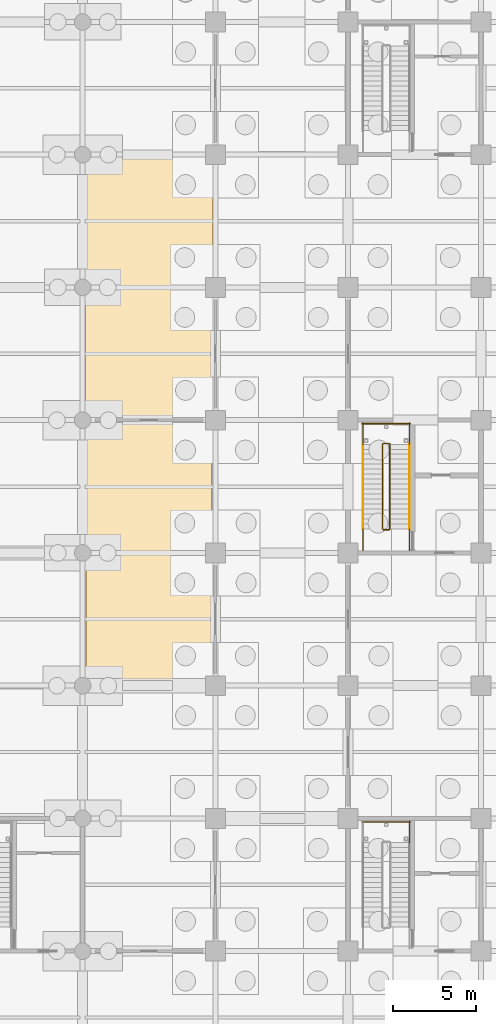
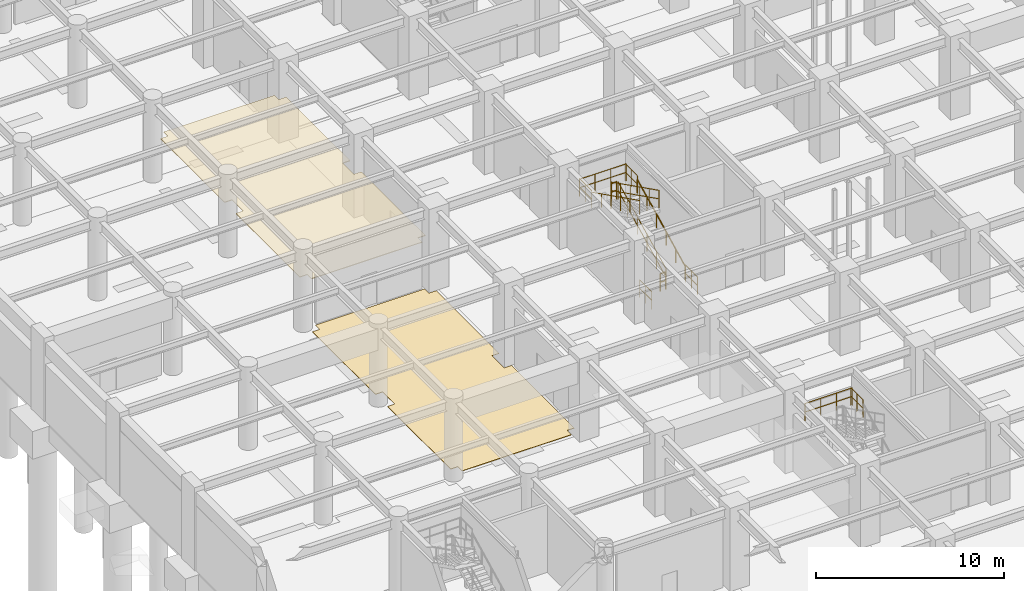
# One storey, part 91 of 97: 13 railings, 2 coverings.
"""IFC4 building model written with IfcOpenShell, lengths in metres."""

from ifc_helpers import new_model, si_unit, direction, frame, origin, origin_2d, place, context, subcontext, project, spatial, polyline, circle, outline, extrude, material, layer, layer_set, type_object, element, save


model = new_model("IFC4")

# Units and contexts
model_context = context("Model", 3, precision=1e-05, world=origin(), true_north=direction((0.0, 1.0)))
body_context = subcontext(model_context, "Body", "Model", "MODEL_VIEW")
ifc_project = project(units=[si_unit("LENGTHUNIT", "METRE"), si_unit("AREAUNIT", "SQUARE_METRE"), si_unit("VOLUMEUNIT", "CUBIC_METRE"), si_unit("PLANEANGLEUNIT", "RADIAN"), si_unit("MASSUNIT", "GRAM", prefix="KILO")], contexts=[model_context])

# Site, building, storey
site_placement = place(None, origin())
site = spatial("IfcSite", under=ifc_project, at=site_placement, CompositionType="ELEMENT")
building_placement = place(site_placement, origin())
building = spatial("IfcBuilding", under=site, at=building_placement, Name="Haebicheon Civic Stadium", CompositionType="ELEMENT")
storey_placement = place(building_placement, frame((0.0, 0.0, -5.39990234375)))
storey = spatial("IfcBuildingStorey", under=building, at=storey_placement, Name="B1", CompositionType="ELEMENT", Elevation=-5.39990234375)

# Coverings
ifc_material_1 = material(Name="Perforated mineral-fibre acoustic board", Category="gypsum")
ifc_layer_1 = layer(ifc_material_1, 0.0400390625, Name="Perforated mineral-fibre acoustic board")
ifc_layer_set_1 = layer_set([ifc_layer_1], Name="Perforated mineral-fibre acoustic board")
covering_type_1 = type_object("IfcCoveringType", Name="COV-CLG-AC", PredefinedType="CEILING", material=ifc_layer_set_1)
covering_1_placement = place(storey_placement, frame((0.0, 0.0, 2.809814453125)))
element("IfcCovering", 1, at=covering_1_placement, inside=storey, type_object=covering_type_1, material=ifc_layer_set_1, Name="B1 Bicycle Parking and Locker Store acoustic ceiling", PredefinedType="CEILING", context=body_context, shape_type="SweptSolid", body=[
    extrude(outline(polyline([(16.594970703125, 112.14501953125), (16.594970703125, 112.594970703125), (16.14501953125, 112.594970703125), (16.14501953125, 119.405029296875), (16.594970703125, 119.405029296875), (16.594970703125, 120.594970703125), (16.14501953125, 120.594970703125), (16.14501953125, 127.405029296875), (16.594970703125, 127.405029296875), (16.594970703125, 127.85498046875), (23.405029296875, 127.85498046875), (23.405029296875, 127.405029296875), (23.85498046875, 127.405029296875), (23.85498046875, 120.594970703125), (23.405029296875, 120.594970703125), (23.405029296875, 119.405029296875), (23.85498046875, 119.405029296875), (23.85498046875, 112.594970703125), (23.405029296875, 112.594970703125), (23.405029296875, 112.14501953125), (16.594970703125, 112.14501953125)])), origin(), (0.0, 0.0, 1.0), 0.0400390625),
])
ifc_material_2 = material(Name="Quartz epoxy resin mortar", Category="concrete")
ifc_layer_2 = layer(ifc_material_2, 0.030029296875, Name="Quartz epoxy resin mortar")
ifc_layer_set_2 = layer_set([ifc_layer_2], Name="Quartz epoxy resin mortar")
covering_type_2 = type_object("IfcCoveringType", Name="COV-FLR-EPX", PredefinedType="FLOORING", material=ifc_layer_set_2)
covering_2_placement = place(storey_placement, origin())
element("IfcCovering", 2, at=covering_2_placement, inside=storey, type_object=covering_type_2, material=ifc_layer_set_2, Name="B1 Metro Underpass Concourse non-slip floor finish", PredefinedType="FLOORING", context=body_context, shape_type="SweptSolid", body=[
    extrude(outline(polyline([(16.64990234375, 96.199951171875), (16.64990234375, 96.64990234375), (16.199951171875, 96.64990234375), (16.199951171875, 103.35009765625), (16.64990234375, 103.35009765625), (16.64990234375, 104.64990234375), (16.199951171875, 104.64990234375), (16.199951171875, 111.35009765625), (16.64990234375, 111.35009765625), (16.64990234375, 111.800048828125), (23.35009765625, 111.800048828125), (23.35009765625, 111.35009765625), (23.800048828125, 111.35009765625), (23.800048828125, 104.64990234375), (23.35009765625, 104.64990234375), (23.35009765625, 103.35009765625), (23.800048828125, 103.35009765625), (23.800048828125, 96.64990234375), (23.35009765625, 96.64990234375), (23.35009765625, 96.199951171875), (16.64990234375, 96.199951171875)])), origin(), (0.0, 0.0, 1.0), 0.02978515625),
])

# Railings
ifc_material_3 = material(Name="Galvanised painted steel SM355", Category="steel")
railing_type_1 = type_object("IfcRailingType", Name="RL-GRD-1150", PredefinedType="GUARDRAIL", material=ifc_material_3)
railing_1_placement = place(storey_placement, frame((35.68994140625, 86.550048828125, 2.699951171875)))
element("IfcRailing", 3, at=railing_1_placement, inside=storey, type_object=railing_type_1, material=ifc_material_3, Name="B1 ST-03 stair guard 3", PredefinedType="GUARDRAIL", context=body_context, shape_type="SweptSolid", body=[
    extrude(circle(Radius=0.02392578125, at=origin_2d()), frame((0.0, 0.0, 1.1259765625), z_axis=(0.0, 1.0, 0.0), x_axis=(-1.0, 0.0, 0.0)), (0.0, 0.0, 1.0), 1.2900390625),
    extrude(circle(Radius=0.02392578125, at=origin_2d()), frame((0.0, 0.0, 0.574951171875), z_axis=(0.0, 1.0, 0.0), x_axis=(-1.0, 0.0, 0.0)), (0.0, 0.0, 1.0), 1.2900390625),
    extrude(circle(Radius=0.02099609375, at=origin_2d()), origin(), (0.0, 0.0, 1.0), 1.101806640625),
    extrude(circle(Radius=0.02099609375, at=origin_2d()), frame((0.0, 0.64501953125, 0.0)), (0.0, 0.0, 1.0), 1.101806640625),
    extrude(circle(Radius=0.02099609375, at=origin_2d()), frame((0.0, 1.2900390625, 0.0)), (0.0, 0.0, 1.0), 1.101806640625),
])
railing_2_placement = place(storey_placement, frame((35.739990234375, 87.7900390625, 2.699951171875)))
element("IfcRailing", 4, at=railing_2_placement, inside=storey, type_object=railing_type_1, material=ifc_material_3, Name="B1 ST-03 stair guard 5", PredefinedType="GUARDRAIL", context=body_context, shape_type="SweptSolid", body=[
    extrude(circle(Radius=0.02392578125, at=origin_2d()), frame((0.0, 0.0, 1.1259765625), z_axis=(-1.0, 0.0, 0.0), x_axis=(0.0, -1.0, 0.0)), (0.0, 0.0, 1.0), 2.89990234375),
    extrude(circle(Radius=0.02392578125, at=origin_2d()), frame((0.0, 0.0, 0.574951171875), z_axis=(-1.0, 0.0, 0.0), x_axis=(0.0, -1.0, 0.0)), (0.0, 0.0, 1.0), 2.89990234375),
    extrude(circle(Radius=0.02099609375, at=origin_2d()), origin(), (0.0, 0.0, 1.0), 1.101806640625),
    extrude(circle(Radius=0.02099609375, at=origin_2d()), frame((-0.966552734375, 0.0, 0.0)), (0.0, 0.0, 1.0), 1.101806640625),
    extrude(circle(Radius=0.02099609375, at=origin_2d()), frame((-1.933349609375, 0.0, 0.0)), (0.0, 0.0, 1.0), 1.101806640625),
    extrude(circle(Radius=0.02099609375, at=origin_2d()), frame((-2.89990234375, 0.0, 0.0)), (0.0, 0.0, 1.0), 1.101806640625),
])
railing_3_placement = place(storey_placement, frame((34.510009765625, 105.449951171875, 0.14990234375)))
element("IfcRailing", 5, at=railing_3_placement, inside=storey, type_object=railing_type_1, material=ifc_material_3, Name="B1 ST-04 stair guard 1", PredefinedType="GUARDRAIL", context=body_context, shape_type="SweptSolid", body=[
    extrude(circle(Radius=0.02392578125, at=origin_2d()), frame((0.0, 0.0, 1.1259765625), z_axis=(0.0, 0.894427191, 0.4472135955), x_axis=(-1.0, 0.0, 0.0)), (0.0, 0.0, 1.0), 5.7021484375),
    extrude(circle(Radius=0.02392578125, at=origin_2d()), frame((0.0, 0.0, 0.574951171875), z_axis=(0.0, 0.894427191, 0.4472135955), x_axis=(-1.0, 0.0, 0.0)), (0.0, 0.0, 1.0), 5.7021484375),
    extrude(circle(Radius=0.02099609375, at=origin_2d()), origin(), (0.0, 0.0, 1.0), 1.101806640625),
    extrude(circle(Radius=0.02099609375, at=origin_2d()), frame((0.0, 1.02001953125, 0.510009765625)), (0.0, 0.0, 1.0), 1.101806640625),
    extrude(circle(Radius=0.02099609375, at=origin_2d()), frame((0.0, 2.0400390625, 1.02001953125)), (0.0, 0.0, 1.0), 1.101806640625),
    extrude(circle(Radius=0.02099609375, at=origin_2d()), frame((0.0, 3.06005859375, 1.530029296875)), (0.0, 0.0, 1.0), 1.101806640625),
    extrude(circle(Radius=0.02099609375, at=origin_2d()), frame((0.0, 4.080078125, 2.0400390625)), (0.0, 0.0, 1.0), 1.101806640625),
    extrude(circle(Radius=0.02099609375, at=origin_2d()), frame((0.0, 5.10009765625, 2.550048828125)), (0.0, 0.0, 1.0), 1.101806640625),
])
railing_4_placement = place(storey_placement, frame((34.4599609375, 110.60009765625, 2.699951171875)))
element("IfcRailing", 6, at=railing_4_placement, inside=storey, type_object=railing_type_1, material=ifc_material_3, Name="B1 ST-04 stair guard 2", PredefinedType="GUARDRAIL", context=body_context, shape_type="SweptSolid", body=[
    extrude(circle(Radius=0.02392578125, at=origin_2d()), frame((0.0, 0.0, 1.1259765625), z_axis=(-1.0, 0.0, 0.0), x_axis=(0.0, -1.0, 0.0)), (0.0, 0.0, 1.0), 0.33984375),
    extrude(circle(Radius=0.02392578125, at=origin_2d()), frame((0.0, 0.0, 0.574951171875), z_axis=(-1.0, 0.0, 0.0), x_axis=(0.0, -1.0, 0.0)), (0.0, 0.0, 1.0), 0.33984375),
    extrude(circle(Radius=0.02099609375, at=origin_2d()), origin(), (0.0, 0.0, 1.0), 1.101806640625),
    extrude(circle(Radius=0.02099609375, at=origin_2d()), frame((-0.33984375, 0.0, 0.0)), (0.0, 0.0, 1.0), 1.101806640625),
])
for number, where, name in (
    (7, (35.68994140625, 110.550048828125, 2.699951171875), "B1 ST-04 stair guard 3"),
    (8, (32.889892578125, 110.550048828125, 2.699951171875), "B1 ST-04 stair guard 4"),
):
    element("IfcRailing", number, at=place(storey_placement, frame(where)), inside=storey, type_object=railing_type_1, material=ifc_material_3, Name=name, PredefinedType="GUARDRAIL", context=body_context, shape_type="SweptSolid", body=[
        extrude(circle(Radius=0.02392578125, at=origin_2d()), frame((0.0, 0.0, 1.1259765625), z_axis=(0.0, 1.0, 0.0), x_axis=(-1.0, 0.0, 0.0)), (0.0, 0.0, 1.0), 1.2900390625),
        extrude(circle(Radius=0.02392578125, at=origin_2d()), frame((0.0, 0.0, 0.574951171875), z_axis=(0.0, 1.0, 0.0), x_axis=(-1.0, 0.0, 0.0)), (0.0, 0.0, 1.0), 1.2900390625),
        extrude(circle(Radius=0.02099609375, at=origin_2d()), origin(), (0.0, 0.0, 1.0), 1.101806640625),
        extrude(circle(Radius=0.02099609375, at=origin_2d()), frame((0.0, 0.64501953125, 0.0)), (0.0, 0.0, 1.0), 1.101806640625),
        extrude(circle(Radius=0.02099609375, at=origin_2d()), frame((0.0, 1.2900390625, 0.0)), (0.0, 0.0, 1.0), 1.101806640625),
    ])
railing_5_placement = place(storey_placement, frame((35.739990234375, 111.7900390625, 2.699951171875)))
element("IfcRailing", 9, at=railing_5_placement, inside=storey, type_object=railing_type_1, material=ifc_material_3, Name="B1 ST-04 stair guard 5", PredefinedType="GUARDRAIL", context=body_context, shape_type="SweptSolid", body=[
    extrude(circle(Radius=0.02392578125, at=origin_2d()), frame((0.0, 0.0, 1.1259765625), z_axis=(-1.0, 0.0, 0.0), x_axis=(0.0, -1.0, 0.0)), (0.0, 0.0, 1.0), 2.89990234375),
    extrude(circle(Radius=0.02392578125, at=origin_2d()), frame((0.0, 0.0, 0.574951171875), z_axis=(-1.0, 0.0, 0.0), x_axis=(0.0, -1.0, 0.0)), (0.0, 0.0, 1.0), 2.89990234375),
    extrude(circle(Radius=0.02099609375, at=origin_2d()), origin(), (0.0, 0.0, 1.0), 1.101806640625),
    extrude(circle(Radius=0.02099609375, at=origin_2d()), frame((-0.966552734375, 0.0, 0.0)), (0.0, 0.0, 1.0), 1.101806640625),
    extrude(circle(Radius=0.02099609375, at=origin_2d()), frame((-1.933349609375, 0.0, 0.0)), (0.0, 0.0, 1.0), 1.101806640625),
    extrude(circle(Radius=0.02099609375, at=origin_2d()), frame((-2.89990234375, 0.0, 0.0)), (0.0, 0.0, 1.0), 1.101806640625),
])
railing_6_placement = place(storey_placement, frame((34.070068359375, 110.550048828125, 2.849853515625)))
element("IfcRailing", 10, at=railing_6_placement, inside=storey, type_object=railing_type_1, material=ifc_material_3, Name="B1 ST-04 stair guard 6", PredefinedType="GUARDRAIL", context=body_context, shape_type="SweptSolid", body=[
    extrude(circle(Radius=0.02392578125, at=origin_2d()), frame((0.0, 0.0, 1.1259765625), z_axis=(0.0, -0.894427191, 0.4472135955), x_axis=(1.0, 0.0, 0.0)), (0.0, 0.0, 1.0), 5.7021484375),
    extrude(circle(Radius=0.02392578125, at=origin_2d()), frame((0.0, 0.0, 0.574951171875), z_axis=(0.0, -0.894427191, 0.4472135955), x_axis=(1.0, 0.0, 0.0)), (0.0, 0.0, 1.0), 5.7021484375),
    extrude(circle(Radius=0.02099609375, at=origin_2d()), origin(), (0.0, 0.0, 1.0), 1.101806640625),
    extrude(circle(Radius=0.02099609375, at=origin_2d()), frame((0.0, -1.02001953125, 0.510009765625)), (0.0, 0.0, 1.0), 1.101806640625),
    extrude(circle(Radius=0.02099609375, at=origin_2d()), frame((0.0, -2.0400390625, 1.02001953125)), (0.0, 0.0, 1.0), 1.101806640625),
    extrude(circle(Radius=0.02099609375, at=origin_2d()), frame((0.0, -3.06005859375, 1.530029296875)), (0.0, 0.0, 1.0), 1.101806640625),
    extrude(circle(Radius=0.02099609375, at=origin_2d()), frame((0.0, -4.080078125, 2.0400390625)), (0.0, 0.0, 1.0), 1.101806640625),
    extrude(circle(Radius=0.02099609375, at=origin_2d()), frame((0.0, -5.10009765625, 2.550048828125)), (0.0, 0.0, 1.0), 1.101806640625),
])
railing_7_placement = place(storey_placement, frame((34.4599609375, 105.39990234375, 0.0)))
element("IfcRailing", 11, at=railing_7_placement, inside=storey, type_object=railing_type_1, material=ifc_material_3, Name="B1 ST-04 stair guard 7", PredefinedType="GUARDRAIL", context=body_context, shape_type="SweptSolid", body=[
    extrude(circle(Radius=0.02392578125, at=origin_2d()), frame((0.0, 0.0, 1.1259765625), z_axis=(-1.0, 0.0, 0.0), x_axis=(0.0, -1.0, 0.0)), (0.0, 0.0, 1.0), 0.33984375),
    extrude(circle(Radius=0.02392578125, at=origin_2d()), frame((0.0, 0.0, 0.574951171875), z_axis=(-1.0, 0.0, 0.0), x_axis=(0.0, -1.0, 0.0)), (0.0, 0.0, 1.0), 0.33984375),
    extrude(circle(Radius=0.02099609375, at=origin_2d()), origin(), (0.0, 0.0, 1.0), 1.101806640625),
    extrude(circle(Radius=0.02099609375, at=origin_2d()), frame((-0.33984375, 0.0, 0.0)), (0.0, 0.0, 1.0), 1.101806640625),
])
for number, where, name in (
    (12, (35.68994140625, 104.159912109375, 0.0), "B1 ST-04 stair guard 8"),
    (13, (32.889892578125, 104.159912109375, 0.0), "B1 ST-04 stair guard 9"),
):
    element("IfcRailing", number, at=place(storey_placement, frame(where)), inside=storey, type_object=railing_type_1, material=ifc_material_3, Name=name, PredefinedType="GUARDRAIL", context=body_context, shape_type="SweptSolid", body=[
        extrude(circle(Radius=0.02392578125, at=origin_2d()), frame((0.0, 0.0, 1.1259765625), z_axis=(0.0, 1.0, 0.0), x_axis=(-1.0, 0.0, 0.0)), (0.0, 0.0, 1.0), 1.2900390625),
        extrude(circle(Radius=0.02392578125, at=origin_2d()), frame((0.0, 0.0, 0.574951171875), z_axis=(0.0, 1.0, 0.0), x_axis=(-1.0, 0.0, 0.0)), (0.0, 0.0, 1.0), 1.2900390625),
        extrude(circle(Radius=0.02099609375, at=origin_2d()), origin(), (0.0, 0.0, 1.0), 1.101806640625),
        extrude(circle(Radius=0.02099609375, at=origin_2d()), frame((0.0, 0.64501953125, 0.0)), (0.0, 0.0, 1.0), 1.101806640625),
        extrude(circle(Radius=0.02099609375, at=origin_2d()), frame((0.0, 1.2900390625, 0.0)), (0.0, 0.0, 1.0), 1.101806640625),
    ])
ifc_material_4 = material(Name="Stainless steel 316", Category="steel")
railing_type_2 = type_object("IfcRailingType", Name="RL-HND-900", PredefinedType="HANDRAIL", material=ifc_material_4)
railing_8_placement = place(storey_placement, frame((35.68994140625, 105.449951171875, 0.14990234375)))
element("IfcRailing", 14, at=railing_8_placement, inside=storey, type_object=railing_type_2, material=ifc_material_4, Name="B1 ST-04 stair handrail 1", PredefinedType="HANDRAIL", context=body_context, shape_type="SweptSolid", body=[
    extrude(circle(Radius=0.02392578125, at=origin_2d()), frame((0.0, 0.0, 0.8759765625), z_axis=(0.0, 0.894427191, 0.4472135955), x_axis=(-1.0, 0.0, 0.0)), (0.0, 0.0, 1.0), 5.7021484375),
    extrude(circle(Radius=0.02099609375, at=origin_2d()), origin(), (0.0, 0.0, 1.0), 0.851806640625),
    extrude(circle(Radius=0.02099609375, at=origin_2d()), frame((0.0, 1.02001953125, 0.510009765625)), (0.0, 0.0, 1.0), 0.851806640625),
    extrude(circle(Radius=0.02099609375, at=origin_2d()), frame((0.0, 2.0400390625, 1.02001953125)), (0.0, 0.0, 1.0), 0.851806640625),
    extrude(circle(Radius=0.02099609375, at=origin_2d()), frame((0.0, 3.06005859375, 1.530029296875)), (0.0, 0.0, 1.0), 0.851806640625),
    extrude(circle(Radius=0.02099609375, at=origin_2d()), frame((0.0, 4.080078125, 2.0400390625)), (0.0, 0.0, 1.0), 0.851806640625),
    extrude(circle(Radius=0.02099609375, at=origin_2d()), frame((0.0, 5.10009765625, 2.550048828125)), (0.0, 0.0, 1.0), 0.851806640625),
])
railing_9_placement = place(storey_placement, frame((32.889892578125, 110.550048828125, 2.849853515625)))
element("IfcRailing", 15, at=railing_9_placement, inside=storey, type_object=railing_type_2, material=ifc_material_4, Name="B1 ST-04 stair handrail 2", PredefinedType="HANDRAIL", context=body_context, shape_type="SweptSolid", body=[
    extrude(circle(Radius=0.02392578125, at=origin_2d()), frame((0.0, 0.0, 0.8759765625), z_axis=(0.0, -0.894427191, 0.4472135955), x_axis=(1.0, 0.0, 0.0)), (0.0, 0.0, 1.0), 5.7021484375),
    extrude(circle(Radius=0.02099609375, at=origin_2d()), origin(), (0.0, 0.0, 1.0), 0.851806640625),
    extrude(circle(Radius=0.02099609375, at=origin_2d()), frame((0.0, -1.02001953125, 0.510009765625)), (0.0, 0.0, 1.0), 0.851806640625),
    extrude(circle(Radius=0.02099609375, at=origin_2d()), frame((0.0, -2.0400390625, 1.02001953125)), (0.0, 0.0, 1.0), 0.851806640625),
    extrude(circle(Radius=0.02099609375, at=origin_2d()), frame((0.0, -3.06005859375, 1.530029296875)), (0.0, 0.0, 1.0), 0.851806640625),
    extrude(circle(Radius=0.02099609375, at=origin_2d()), frame((0.0, -4.080078125, 2.0400390625)), (0.0, 0.0, 1.0), 0.851806640625),
    extrude(circle(Radius=0.02099609375, at=origin_2d()), frame((0.0, -5.10009765625, 2.550048828125)), (0.0, 0.0, 1.0), 0.851806640625),
])

save(model, "model.ifc")
